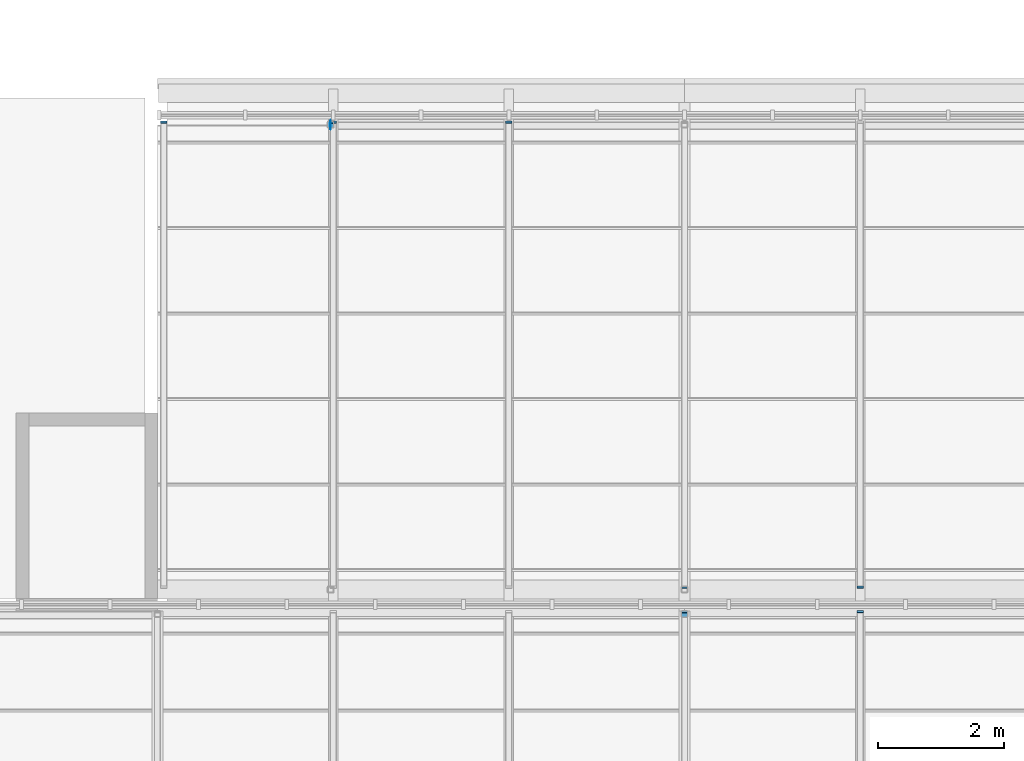
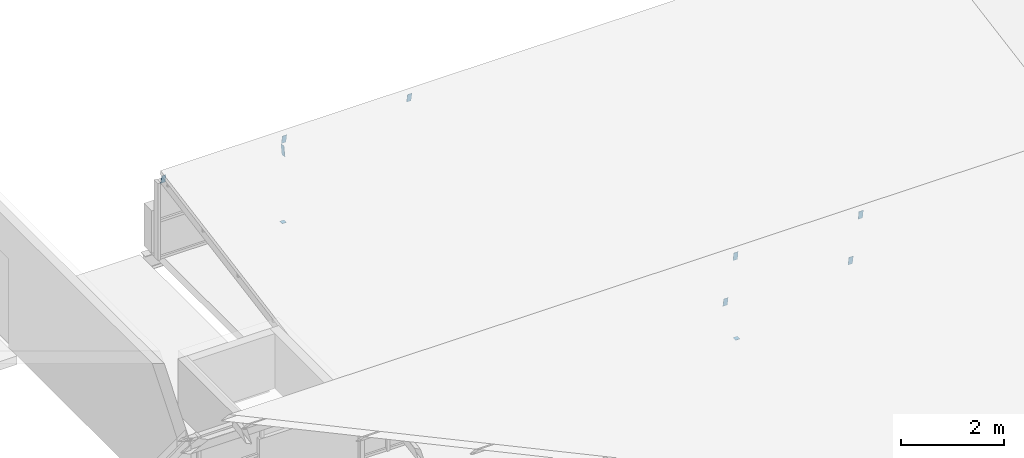
# One storey, part 36 of 42: 10 discrete accessories.
"""IFC4 building model written with IfcOpenShell, lengths in metres."""

from ifc_helpers import new_model, si_unit, direction, frame, origin, origin_2d, place, context, subcontext, project, spatial, rectangle, extrude, material, material_profile, profile_set, type_object, element, save


model = new_model("IFC4")

# Units and contexts
model_context = context("Model", 3, precision=1e-05, world=origin(), true_north=direction((0.0, 1.0)))
body_context = subcontext(model_context, "Body", "Model", "MODEL_VIEW")
ifc_project = project(units=[si_unit("LENGTHUNIT", "METRE"), si_unit("AREAUNIT", "SQUARE_METRE"), si_unit("VOLUMEUNIT", "CUBIC_METRE"), si_unit("PLANEANGLEUNIT", "RADIAN"), si_unit("MASSUNIT", "GRAM", prefix="KILO")], contexts=[model_context])

# Site, building, storey
site_placement = place(None, origin())
site = spatial("IfcSite", under=ifc_project, at=site_placement, CompositionType="ELEMENT")
building_placement = place(site_placement, origin())
building = spatial("IfcBuilding", under=site, at=building_placement, Name="Ardhachandra Cancer Care Centre", CompositionType="ELEMENT")
storey_placement = place(building_placement, frame((0.0, 0.0, 22.5)))
storey = spatial("IfcBuildingStorey", under=building, at=storey_placement, Name="L05", CompositionType="ELEMENT", Elevation=22.5)

# Discrete accessories
ifc_material_1 = material(Name="Galvanised flat steel (Steel E250 (IS 2062))", Category="steel")
ifc_material_profile_1 = material_profile(ifc_material_1, rectangle(XDim=0.10009765625, YDim=0.199951171875, at=origin_2d()), Name="Rafter end plate 200 x 100 x 8")
ifc_profile_set_1 = profile_set([ifc_material_profile_1], Name="Galvanised flat steel (Steel E250 (IS 2062))")
discrete_accessory_type_1 = type_object("IfcDiscreteAccessoryType", Name="Rafter end plate 200 x 100 x 8", PredefinedType="BRACKET", material=ifc_profile_set_1)
for number, where, z_axis, x_axis, name in (
    (1, (27.60009765625, 88.183837890625, 1.918701171875), (0.0, 0.988012033751, 0.154376880274), (-1.0, 0.0, 0.0), "Rafter end plate NT2a.7.2"),
    (2, (30.39990234375, 88.183837890625, 1.918701171875), (0.0, 0.988012033751, 0.154376880274), (-1.0, 0.0, 0.0), "Rafter end plate NT2a.8.2"),
):
    element("IfcDiscreteAccessory", number, at=place(storey_placement, frame(where, z_axis=z_axis, x_axis=x_axis)), inside=storey, type_object=discrete_accessory_type_1, Name=name, PredefinedType="BRACKET", context=body_context, shape_type="SweptSolid", body=[
        extrude(rectangle(XDim=0.10009765625, YDim=0.199951171875, at=origin_2d()), origin(), (0.0, 0.0, 1.0), 0.0078125),
    ])
for number, where, z_axis, x_axis, name in (
    (3, (19.300048828125, 95.982421875, 1.91845703125), (0.0, 0.982872186934, 0.18428853505), (-1.0, 0.0, 0.0), "Rafter end plate NT3a.1.2"),
    (4, (22.0, 95.982421875, 1.91845703125), (0.0, 0.982872186934, 0.18428853505), (-1.0, 0.0, 0.0), "Rafter end plate NT3a.2.2"),
    (5, (24.800048828125, 95.982421875, 1.91845703125), (0.0, 0.982872186934, 0.18428853505), (-1.0, 0.0, 0.0), "Rafter end plate NT3a.3.2"),
):
    element("IfcDiscreteAccessory", number, at=place(storey_placement, frame(where, z_axis=z_axis, x_axis=x_axis)), inside=storey, type_object=discrete_accessory_type_1, Name=name, PredefinedType="BRACKET", context=body_context, shape_type="SweptSolid", body=[
        extrude(rectangle(XDim=0.10009765625, YDim=0.199951171875, at=origin_2d()), origin(), (0.0, 0.0, 1.0), 0.008056640625),
    ])
for number, where, z_axis, x_axis, name in (
    (6, (27.60009765625, 88.58251953125, 0.598388671875), (0.0, -0.9838699101, -0.1788854382), (1.0, 0.0, 0.0), "Rafter end plate NT3a.4.1"),
    (7, (30.39990234375, 88.58251953125, 0.598388671875), (0.0, -0.9838699101, -0.1788854382), (1.0, 0.0, 0.0), "Rafter end plate NT3a.5.1"),
):
    element("IfcDiscreteAccessory", number, at=place(storey_placement, frame(where, z_axis=z_axis, x_axis=x_axis)), inside=storey, type_object=discrete_accessory_type_1, Name=name, PredefinedType="BRACKET", context=body_context, shape_type="SweptSolid", body=[
        extrude(rectangle(XDim=0.10009765625, YDim=0.199951171875, at=origin_2d()), origin(), (0.0, 0.0, 1.0), 0.00830078125),
    ])
ifc_material_2 = material(Name="Galvanised flat steel (Steel E250 (IS 2062))", Category="steel")
ifc_material_profile_2 = material_profile(ifc_material_2, rectangle(XDim=0.1201171875, YDim=0.239990234375, at=origin_2d()), Name="Ridge beam end plate 240 x 120 x 8")
ifc_profile_set_2 = profile_set([ifc_material_profile_2], Name="Galvanised flat steel (Steel E250 (IS 2062))")
discrete_accessory_type_2 = type_object("IfcDiscreteAccessoryType", Name="Ridge beam end plate 240 x 120 x 8", PredefinedType="BRACKET", material=ifc_profile_set_2)
discrete_accessory_placement = place(storey_placement, frame((21.9599609375, 95.949951171875, 1.689208984375), z_axis=(-1.0, 0.0, 0.0), x_axis=(0.0, -0.984460447526, 0.175606455623)))
element("IfcDiscreteAccessory", 8, at=discrete_accessory_placement, inside=storey, type_object=discrete_accessory_type_2, Name="Ridge beam end plate NT3a.1", PredefinedType="BRACKET", context=body_context, shape_type="SweptSolid", body=[
    extrude(rectangle(XDim=0.1201171875, YDim=0.239990234375, at=origin_2d()), origin(), (0.0, 0.0, 1.0), 0.008056640625),
])
ifc_material_3 = material(Name="Galvanised flat steel (Steel E250 (IS 2062))", Category="steel")
ifc_material_profile_3 = material_profile(ifc_material_3, rectangle(XDim=0.10009765625, YDim=0.10009765625, at=origin_2d()), Name="Ridge post foot plate 100 x 100 x 8")
ifc_profile_set_3 = profile_set([ifc_material_profile_3], Name="Galvanised flat steel (Steel E250 (IS 2062))")
discrete_accessory_type_3 = type_object("IfcDiscreteAccessoryType", Name="Ridge post foot plate 100 x 100 x 8", PredefinedType="BRACKET", material=ifc_profile_set_3)
for number, where, z_axis, x_axis, name in (
    (9, (27.60009765625, 88.14990234375, 0.0), (0.0, 0.0, -1.0), (1.0, 0.0, 0.0), "Ridge post foot plate NT2a.3"),
    (10, (21.9599609375, 95.949951171875, 0.0), (0.0, 0.0, -1.0), (1.0, 0.0, 0.0), "Ridge post foot plate NT3a.1"),
):
    element("IfcDiscreteAccessory", number, at=place(storey_placement, frame(where, z_axis=z_axis, x_axis=x_axis)), inside=storey, type_object=discrete_accessory_type_3, Name=name, PredefinedType="BRACKET", context=body_context, shape_type="SweptSolid", body=[
        extrude(rectangle(XDim=0.10009765625, YDim=0.10009765625, at=origin_2d()), origin(), (0.0, 0.0, 1.0), 0.008056640625),
    ])

save(model, "model.ifc")
